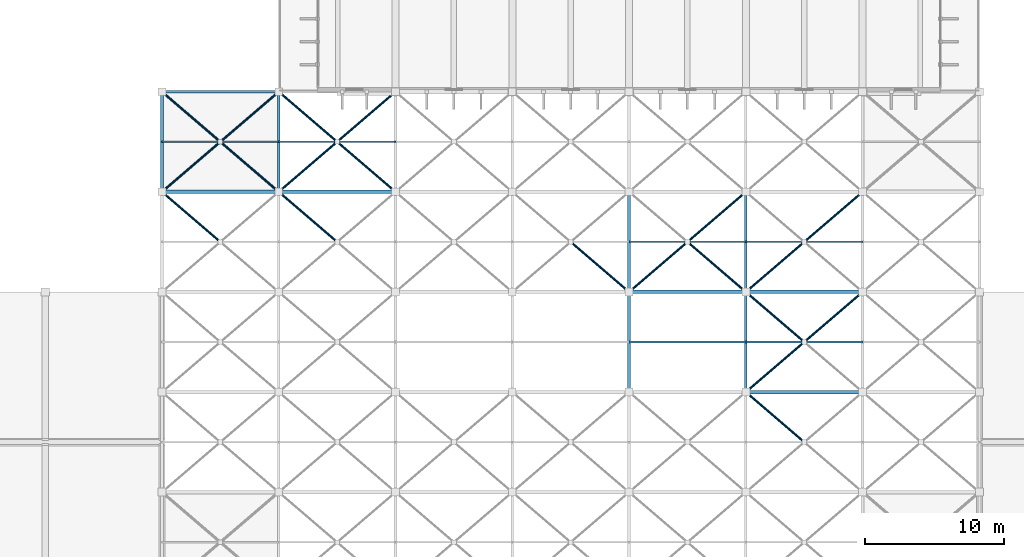
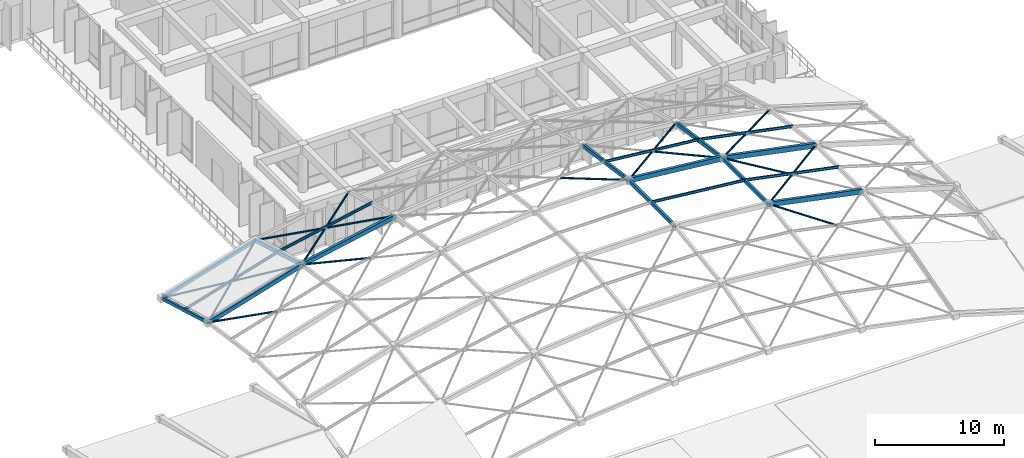
# One storey, part 3 of 23: 33 members.
"""IFC4 building model written with IfcOpenShell, lengths in metres."""

from ifc_helpers import new_model, si_unit, direction, frame, origin, origin_2d, place, context, subcontext, project, spatial, hollow_rectangle, hollow_circle, i_section, extrude, material, material_profile, profile_set, type_object, element, save


model = new_model("IFC4")

# Units and contexts
model_context = context("Model", 3, precision=1e-05, world=origin(), true_north=direction((0.0, 1.0)))
body_context = subcontext(model_context, "Body", "Model", "MODEL_VIEW")
ifc_project = project(units=[si_unit("LENGTHUNIT", "METRE"), si_unit("AREAUNIT", "SQUARE_METRE"), si_unit("VOLUMEUNIT", "CUBIC_METRE"), si_unit("PLANEANGLEUNIT", "RADIAN"), si_unit("MASSUNIT", "GRAM", prefix="KILO")], contexts=[model_context])

# Site, building, storey
site_placement = place(None, origin())
site = spatial("IfcSite", under=ifc_project, at=site_placement, CompositionType="ELEMENT")
building_placement = place(site_placement, origin())
building = spatial("IfcBuilding", under=site, at=building_placement, Name="Kenerak Square Central Library", CompositionType="ELEMENT")
storey_placement = place(building_placement, frame((0.0, 0.0, 18.8798828125)))
storey = spatial("IfcBuildingStorey", under=building, at=storey_placement, Name="L04", CompositionType="ELEMENT", Elevation=18.8798828125)

# Members
ifc_material = material(Name="Steel S355", Category="steel")
ifc_material_profile_1 = material_profile(ifc_material, hollow_rectangle(XDim=0.25, YDim=0.449951171875, WallThickness=0.01611328125, at=origin_2d()), Name="RHS 450x250x16.0")
ifc_profile_set_1 = profile_set([ifc_material_profile_1], Name="Steel S355")
member_type_1 = type_object("IfcMemberType", Name="Gridshell Arch Chord GM-01 RHS 450x250x16 S355", PredefinedType="CHORD", material=ifc_profile_set_1)
member_1_placement = place(storey_placement, frame((100.39990234375, 31.199951171875, 7.31689453125), z_axis=(0.980180925126, 0.0, -0.198104401817), x_axis=(0.0, 1.0, 0.0)))
element("IfcMember", 1, at=member_1_placement, inside=storey, type_object=member_type_1, Name="Gridshell Arch Chord 0020", PredefinedType="CHORD", context=body_context, shape_type="SweptSolid", body=[
    extrude(hollow_rectangle(XDim=0.25, YDim=0.449951171875, WallThickness=0.01611328125, at=origin_2d()), origin(), (0.0, 0.0, 1.0), 8.570068359375),
])
member_2_placement = place(storey_placement, frame((92.0, 38.39990234375, 8.166015625), z_axis=(0.994929534043, 0.0, -0.100574461414), x_axis=(0.0, 1.0, 0.0)))
element("IfcMember", 2, at=member_2_placement, inside=storey, type_object=member_type_1, Name="Gridshell Arch Chord 0026", PredefinedType="CHORD", context=body_context, shape_type="SweptSolid", body=[
    extrude(hollow_rectangle(XDim=0.25, YDim=0.449951171875, WallThickness=0.01611328125, at=origin_2d()), origin(), (0.0, 0.0, 1.0), 8.442626953125),
])
member_3_placement = place(storey_placement, frame((100.39990234375, 38.39990234375, 7.31689453125), z_axis=(0.980180925126, 0.0, -0.198104401817), x_axis=(0.0, 1.0, 0.0)))
element("IfcMember", 3, at=member_3_placement, inside=storey, type_object=member_type_1, Name="Gridshell Arch Chord 0027", PredefinedType="CHORD", context=body_context, shape_type="SweptSolid", body=[
    extrude(hollow_rectangle(XDim=0.25, YDim=0.449951171875, WallThickness=0.01611328125, at=origin_2d()), origin(), (0.0, 0.0, 1.0), 8.570068359375),
])
ifc_material_profile_2 = material_profile(ifc_material, hollow_rectangle(XDim=0.25, YDim=0.39990234375, WallThickness=0.012451171875, at=origin_2d()), Name="RHS 400x250x12.5")
ifc_profile_set_2 = profile_set([ifc_material_profile_2], Name="Steel S355")
member_type_2 = type_object("IfcMemberType", Name="Gridshell Arch Rib GM-02 RHS 400x250x12.5 S355", PredefinedType="CHORD", material=ifc_profile_set_2)
member_4_placement = place(storey_placement, frame((58.39990234375, 45.60009765625, 2.048095703125), z_axis=(0.956980883817, 0.0, 0.29015097451), x_axis=(0.0, 1.0, 0.0)))
element("IfcMember", 4, at=member_4_placement, inside=storey, type_object=member_type_2, Name="Gridshell Arch Chord 0029", PredefinedType="CHORD", context=body_context, shape_type="SweptSolid", body=[
    extrude(hollow_rectangle(XDim=0.25, YDim=0.39990234375, WallThickness=0.012451171875, at=origin_2d()), origin(), (0.0, 0.0, 1.0), 8.77783203125),
])
member_5_placement = place(storey_placement, frame((66.800048828125, 45.60009765625, 4.594970703125), z_axis=(0.980174274695, 0.0, 0.198137303973), x_axis=(0.0, 1.0, 0.0)))
element("IfcMember", 5, at=member_5_placement, inside=storey, type_object=member_type_2, Name="Gridshell Arch Chord 0030", PredefinedType="CHORD", context=body_context, shape_type="SweptSolid", body=[
    extrude(hollow_rectangle(XDim=0.25, YDim=0.39990234375, WallThickness=0.012451171875, at=origin_2d()), origin(), (0.0, 0.0, 1.0), 8.56982421875),
])
ifc_material_profile_3 = material_profile(ifc_material, hollow_rectangle(XDim=0.199951171875, YDim=0.35009765625, WallThickness=0.012451171875, at=origin_2d()), Name="RHS 350x200x12.5")
ifc_profile_set_3 = profile_set([ifc_material_profile_3], Name="Steel S355")
member_type_3 = type_object("IfcMemberType", Name="Gridshell Cross Rib GM-03 RHS 350x200x12.5 S355", PredefinedType="RAFTER", material=ifc_profile_set_3)
member_6_placement = place(storey_placement, frame((66.800048828125, 45.60009765625, 4.594970703125), z_axis=(0.0, 0.96185064623, -0.273575098185), x_axis=(-1.0, 0.0, 0.0)))
element("IfcMember", 6, at=member_6_placement, inside=storey, type_object=member_type_3, Name="Gridshell Cross Rib 0052", PredefinedType="RAFTER", context=body_context, shape_type="SweptSolid", body=[
    extrude(hollow_rectangle(XDim=0.199951171875, YDim=0.35009765625, WallThickness=0.012451171875, at=origin_2d()), origin(), (0.0, 0.0, 1.0), 7.485595703125),
])
member_7_placement = place(storey_placement, frame((92.0, 31.199951171875, 8.166015625), z_axis=(0.0, 1.0, 0.0), x_axis=(-1.0, 0.0, 0.0)))
element("IfcMember", 7, at=member_7_placement, inside=storey, type_object=member_type_3, Name="Gridshell Cross Rib 0065", PredefinedType="RAFTER", context=body_context, shape_type="SweptSolid", body=[
    extrude(hollow_rectangle(XDim=0.199951171875, YDim=0.35009765625, WallThickness=0.012451171875, at=origin_2d()), origin(), (0.0, 0.0, 1.0), 7.199951171875),
])
member_8_placement = place(storey_placement, frame((92.0, 38.39990234375, 8.166015625), z_axis=(0.0, 0.990039260291, -0.140791558988), x_axis=(-1.0, 0.0, 0.0)))
element("IfcMember", 8, at=member_8_placement, inside=storey, type_object=member_type_3, Name="Gridshell Cross Rib 0066", PredefinedType="RAFTER", context=body_context, shape_type="SweptSolid", body=[
    extrude(hollow_rectangle(XDim=0.199951171875, YDim=0.35009765625, WallThickness=0.012451171875, at=origin_2d()), origin(), (0.0, 0.0, 1.0), 7.272705078125),
])
member_9_placement = place(storey_placement, frame((100.39990234375, 31.199951171875, 7.31689453125), z_axis=(0.0, 1.0, 0.0), x_axis=(-1.0, 0.0, 0.0)))
element("IfcMember", 9, at=member_9_placement, inside=storey, type_object=member_type_3, Name="Gridshell Cross Rib 0070", PredefinedType="RAFTER", context=body_context, shape_type="SweptSolid", body=[
    extrude(hollow_rectangle(XDim=0.199951171875, YDim=0.35009765625, WallThickness=0.012451171875, at=origin_2d()), origin(), (0.0, 0.0, 1.0), 7.199951171875),
])
member_10_placement = place(storey_placement, frame((100.39990234375, 38.39990234375, 7.31689453125), z_axis=(0.0, 0.990039260291, -0.140791558988), x_axis=(-1.0, 0.0, 0.0)))
element("IfcMember", 10, at=member_10_placement, inside=storey, type_object=member_type_3, Name="Gridshell Cross Rib 0071", PredefinedType="RAFTER", context=body_context, shape_type="SweptSolid", body=[
    extrude(hollow_rectangle(XDim=0.199951171875, YDim=0.35009765625, WallThickness=0.012451171875, at=origin_2d()), origin(), (0.0, 0.0, 1.0), 7.272705078125),
])
ifc_material_profile_4 = material_profile(ifc_material, hollow_rectangle(XDim=0.199951171875, YDim=0.300048828125, WallThickness=0.010009765625, at=origin_2d()), Name="RHS 300x200x10.0")
ifc_profile_set_4 = profile_set([ifc_material_profile_4], Name="Steel S355")
member_type_4 = type_object("IfcMemberType", Name="Gridshell Edge Rib GM-04 RHS 300x200x10 S355", PredefinedType="RAFTER", material=ifc_profile_set_4)
member_11_placement = place(storey_placement, frame((58.39990234375, 52.800048828125, 0.0), z_axis=(0.956973160581, 0.0, 0.290176446198), x_axis=(0.0, 1.0, 0.0)))
element("IfcMember", 11, at=member_11_placement, inside=storey, type_object=member_type_4, Name="Gridshell Arch Chord 0036", PredefinedType="RAFTER", context=body_context, shape_type="SweptSolid", body=[
    extrude(hollow_rectangle(XDim=0.199951171875, YDim=0.300048828125, WallThickness=0.010009765625, at=origin_2d()), origin(), (0.0, 0.0, 1.0), 8.77783203125),
])
member_12_placement = place(storey_placement, frame((58.39990234375, 45.60009765625, 2.048095703125), z_axis=(0.0, 0.96184206356, -0.273605271819), x_axis=(-1.0, 0.0, 0.0)))
element("IfcMember", 12, at=member_12_placement, inside=storey, type_object=member_type_4, Name="Gridshell Cross Rib 0047", PredefinedType="RAFTER", context=body_context, shape_type="SweptSolid", body=[
    extrude(hollow_rectangle(XDim=0.199951171875, YDim=0.300048828125, WallThickness=0.010009765625, at=origin_2d()), origin(), (0.0, 0.0, 1.0), 7.485595703125),
])
ifc_material_profile_5 = material_profile(ifc_material, hollow_circle(Radius=0.084228515625, WallThickness=0.008056640625, at=origin_2d()), Name="CHS 168.3x8.0")
ifc_profile_set_5 = profile_set([ifc_material_profile_5], Name="Steel S355")
member_type_5 = type_object("IfcMemberType", Name="Gridshell Nodal Brace GB-11 CHS 168.3x8 S355", PredefinedType="BRACE", material=ifc_profile_set_5)
member_13_placement = place(storey_placement, frame((62.531494140625, 42.058837890625, 3.804443359375), z_axis=(-0.722561060385, 0.619319753051, -0.307162102961), x_axis=(-0.650780288863, -0.759266103304, 0.0)))
element("IfcMember", 13, at=member_13_placement, inside=storey, type_object=member_type_5, Name="Gridshell Split Brace Seg 2 0097", PredefinedType="BRACE", context=body_context, shape_type="SweptSolid", body=[
    extrude(hollow_circle(Radius=0.084228515625, WallThickness=0.008056640625, at=origin_2d()), origin(), (0.0, 0.0, 1.0), 5.718017578125),
])
member_14_placement = place(storey_placement, frame((58.39990234375, 45.60009765625, 2.048095703125), z_axis=(0.758493211686, 0.650121292348, 0.045059439204), x_axis=(-0.650782286936, 0.759264390716, 0.0)))
element("IfcMember", 14, at=member_14_placement, inside=storey, type_object=member_type_5, Name="Gridshell Diagonal Brace 0099", PredefinedType="BRACE", context=body_context, shape_type="SweptSolid", body=[
    extrude(hollow_circle(Radius=0.084228515625, WallThickness=0.008056640625, at=origin_2d()), origin(), (0.0, 0.0, 1.0), 11.07470703125),
])
member_15_placement = place(storey_placement, frame((66.800048828125, 45.60009765625, 4.594970703125), z_axis=(-0.701213980074, 0.60098730523, -0.383553403193), x_axis=(-0.650758134143, -0.759285091943, 0.0)))
element("IfcMember", 15, at=member_15_placement, inside=storey, type_object=member_type_5, Name="Gridshell Split Brace Seg 1 0100", PredefinedType="BRACE", context=body_context, shape_type="SweptSolid", body=[
    extrude(hollow_circle(Radius=0.084228515625, WallThickness=0.008056640625, at=origin_2d()), origin(), (0.0, 0.0, 1.0), 5.894775390625),
])
member_16_placement = place(storey_placement, frame((62.533447265625, 49.257080078125, 2.26123046875), z_axis=(-0.701185388115, 0.601004214301, -0.383579178118), x_axis=(-0.650783987265, -0.759262933323, 0.0)))
element("IfcMember", 16, at=member_16_placement, inside=storey, type_object=member_type_5, Name="Gridshell Split Brace Seg 2 0101", PredefinedType="BRACE", context=body_context, shape_type="SweptSolid", body=[
    extrude(hollow_circle(Radius=0.084228515625, WallThickness=0.008056640625, at=origin_2d()), origin(), (0.0, 0.0, 1.0), 5.89501953125),
])
member_17_placement = place(storey_placement, frame((70.929931640625, 42.06005859375, 5.933349609375), z_axis=(-0.73725498425, 0.631957748382, -0.238923612181), x_axis=(-0.650806158381, -0.759243929323, 0.0)))
element("IfcMember", 17, at=member_17_placement, inside=storey, type_object=member_type_5, Name="Gridshell Split Brace Seg 2 0117", PredefinedType="BRACE", context=body_context, shape_type="SweptSolid", body=[
    extrude(hollow_circle(Radius=0.084228515625, WallThickness=0.008056640625, at=origin_2d()), origin(), (0.0, 0.0, 1.0), 5.601806640625),
])
member_18_placement = place(storey_placement, frame((66.800048828125, 45.60009765625, 4.594970703125), z_axis=(0.758875702156, 0.65046803849, -0.031606954636), x_axis=(-0.650793190779, 0.759255044656, 0.0)))
element("IfcMember", 18, at=member_18_placement, inside=storey, type_object=member_type_5, Name="Gridshell Diagonal Brace 0119", PredefinedType="BRACE", context=body_context, shape_type="SweptSolid", body=[
    extrude(hollow_circle(Radius=0.084228515625, WallThickness=0.008056640625, at=origin_2d()), origin(), (0.0, 0.0, 1.0), 11.06884765625),
])
for number, where, z_axis, x_axis, name in (
    (19, (75.199951171875, 45.60009765625, 6.29296875), (-0.719158043683, 0.616402967773, -0.320716525183), (-0.650780288863, -0.759266103304, 0.0), "Gridshell Split Brace Seg 1 0120"),
    (20, (70.931640625, 49.258544921875, 4.389404296875), (-0.719149006003, 0.616437716781, -0.320669999368), (-0.650806152266, -0.759243934565, 0.0), "Gridshell Split Brace Seg 2 0121"),
):
    element("IfcMember", number, at=place(storey_placement, frame(where, z_axis=z_axis, x_axis=x_axis)), inside=storey, type_object=member_type_5, Name=name, PredefinedType="BRACE", context=body_context, shape_type="SweptSolid", body=[
        extrude(hollow_circle(Radius=0.084228515625, WallThickness=0.008056640625, at=origin_2d()), origin(), (0.0, 0.0, 1.0), 5.7451171875),
    ])
member_19_placement = place(storey_placement, frame((92.0, 38.39990234375, 8.166015625), z_axis=(-0.756013530096, 0.648037146207, -0.092148789729), x_axis=(-0.650806164502, -0.759243924076, 0.0)))
element("IfcMember", 21, at=member_19_placement, inside=storey, type_object=member_type_5, Name="Gridshell Split Brace Seg 1 0150", PredefinedType="BRACE", context=body_context, shape_type="SweptSolid", body=[
    extrude(hollow_circle(Radius=0.084228515625, WallThickness=0.008056640625, at=origin_2d()), origin(), (0.0, 0.0, 1.0), 5.46044921875),
])
member_20_placement = place(storey_placement, frame((92.0, 38.39990234375, 8.166015625), z_axis=(0.748591735007, 0.641674924397, -0.166924251322), x_axis=(-0.650805911728, 0.759244140748, 0.0)))
element("IfcMember", 22, at=member_20_placement, inside=storey, type_object=member_type_5, Name="Gridshell Diagonal Brace 0166", PredefinedType="BRACE", context=body_context, shape_type="SweptSolid", body=[
    extrude(hollow_circle(Radius=0.084228515625, WallThickness=0.008056640625, at=origin_2d()), origin(), (0.0, 0.0, 1.0), 11.220947265625),
])
member_21_placement = place(storey_placement, frame((100.39990234375, 38.39990234375, 7.31689453125), z_axis=(-0.759133240438, 0.650743363912, -0.015804986138), x_axis=(-0.650824656203, -0.759228073031, 0.0)))
element("IfcMember", 23, at=member_21_placement, inside=storey, type_object=member_type_5, Name="Gridshell Split Brace Seg 1 0167", PredefinedType="BRACE", context=body_context, shape_type="SweptSolid", body=[
    extrude(hollow_circle(Radius=0.084228515625, WallThickness=0.008056640625, at=origin_2d()), origin(), (0.0, 0.0, 1.0), 5.437255859375),
])
member_22_placement = place(storey_placement, frame((104.530029296875, 27.659912109375, 5.978759765625), z_axis=(-0.737282553334, 0.631944022188, 0.238874840387), x_axis=(-0.650783981153, -0.759262938563, 0.0)))
element("IfcMember", 24, at=member_22_placement, inside=storey, type_object=member_type_5, Name="Gridshell Split Brace Seg 2 0180", PredefinedType="BRACE", context=body_context, shape_type="SweptSolid", body=[
    extrude(hollow_circle(Radius=0.084228515625, WallThickness=0.008056640625, at=origin_2d()), origin(), (0.0, 0.0, 1.0), 5.601806640625),
])
member_23_placement = place(storey_placement, frame((100.39990234375, 31.199951171875, 7.31689453125), z_axis=(0.750479503081, 0.643252565622, -0.151679439196), x_axis=(-0.650782286936, 0.759264390716, 0.0)))
element("IfcMember", 25, at=member_23_placement, inside=storey, type_object=member_type_5, Name="Gridshell Diagonal Brace 0182", PredefinedType="BRACE", context=body_context, shape_type="SweptSolid", body=[
    extrude(hollow_circle(Radius=0.084228515625, WallThickness=0.008056640625, at=origin_2d()), origin(), (0.0, 0.0, 1.0), 11.193115234375),
])
member_24_placement = place(storey_placement, frame((104.52880859375, 34.861083984375, 6.482421875), z_axis=(-0.750493833217, 0.643236052062, 0.151678566813), x_axis=(-0.650765491935, -0.759278785761, 0.0)))
element("IfcMember", 26, at=member_24_placement, inside=storey, type_object=member_type_5, Name="Gridshell Split Brace Seg 2 0184", PredefinedType="BRACE", context=body_context, shape_type="SweptSolid", body=[
    extrude(hollow_circle(Radius=0.084228515625, WallThickness=0.008056640625, at=origin_2d()), origin(), (0.0, 0.0, 1.0), 5.50146484375),
])
member_25_placement = place(storey_placement, frame((100.39990234375, 38.39990234375, 7.31689453125), z_axis=(0.73726879801, 0.631950806257, -0.238899346906), x_axis=(-0.650795007986, 0.759253487039, 0.0)))
element("IfcMember", 27, at=member_25_placement, inside=storey, type_object=member_type_5, Name="Gridshell Diagonal Brace 0186", PredefinedType="BRACE", context=body_context, shape_type="SweptSolid", body=[
    extrude(hollow_circle(Radius=0.084228515625, WallThickness=0.008056640625, at=origin_2d()), origin(), (0.0, 0.0, 1.0), 11.3935546875),
])
ifc_material_profile_6 = material_profile(ifc_material, i_section(OverallWidth=0.1201171875, OverallDepth=0.239990234375, WebThickness=0.006103515625, FlangeThickness=0.009765625, FilletRadius=0.014892578125, at=origin_2d()), Name="IPE 240")
ifc_profile_set_6 = profile_set([ifc_material_profile_6], Name="Steel S355")
member_type_6 = type_object("IfcMemberType", Name="Roof Steel Purlin PR-01 IPE 240 S355", PredefinedType="PURLIN", material=ifc_profile_set_6)
member_26_placement = place(storey_placement, frame((58.39990234375, 49.199951171875, 1.119140625), z_axis=(0.956980883817, 0.0, 0.29015097451), x_axis=(0.0, 1.0, 0.0)))
element("IfcMember", 28, at=member_26_placement, inside=storey, type_object=member_type_6, Name="Gridshell Purlin PR-01 0102", PredefinedType="PURLIN", context=body_context, shape_type="SweptSolid", body=[
    extrude(i_section(OverallWidth=0.1201171875, OverallDepth=0.239990234375, WebThickness=0.006103515625, FlangeThickness=0.009765625, FilletRadius=0.014892578125, at=origin_2d()), origin(), (0.0, 0.0, 1.0), 8.77783203125),
])
member_27_placement = place(storey_placement, frame((66.800048828125, 49.199951171875, 3.666015625), z_axis=(0.980174274695, 0.0, 0.198137303973), x_axis=(0.0, 1.0, 0.0)))
element("IfcMember", 29, at=member_27_placement, inside=storey, type_object=member_type_6, Name="Gridshell Purlin PR-01 0122", PredefinedType="PURLIN", context=body_context, shape_type="SweptSolid", body=[
    extrude(i_section(OverallWidth=0.1201171875, OverallDepth=0.239990234375, WebThickness=0.006103515625, FlangeThickness=0.009765625, FilletRadius=0.014892578125, at=origin_2d()), origin(), (0.0, 0.0, 1.0), 8.56982421875),
])
for number, where, z_axis, x_axis, name in (
    (30, (92.0, 34.800048828125, 8.260986328125), (0.994932427238, 0.0, -0.100545836468), (0.0, 1.0, 0.0), "Gridshell Purlin PR-01 0165"),
    (31, (92.0, 42.0, 7.7490234375), (0.994929534043, 0.0, -0.100574461414), (0.0, 1.0, 0.0), "Gridshell Purlin PR-01 0169"),
):
    element("IfcMember", number, at=place(storey_placement, frame(where, z_axis=z_axis, x_axis=x_axis)), inside=storey, type_object=member_type_6, Name=name, PredefinedType="PURLIN", context=body_context, shape_type="SweptSolid", body=[
        extrude(i_section(OverallWidth=0.1201171875, OverallDepth=0.239990234375, WebThickness=0.006103515625, FlangeThickness=0.009765625, FilletRadius=0.014892578125, at=origin_2d()), origin(), (0.0, 0.0, 1.0), 8.442626953125),
    ])
for number, where, z_axis, x_axis, name in (
    (32, (100.39990234375, 34.800048828125, 7.412109375), (0.98017539306, 0.0, -0.198131771405), (0.0, 1.0, 0.0), "Gridshell Purlin PR-01 0185"),
    (33, (100.39990234375, 42.0, 6.89990234375), (0.980180925126, 0.0, -0.198104401817), (0.0, 1.0, 0.0), "Gridshell Purlin PR-01 0189"),
):
    element("IfcMember", number, at=place(storey_placement, frame(where, z_axis=z_axis, x_axis=x_axis)), inside=storey, type_object=member_type_6, Name=name, PredefinedType="PURLIN", context=body_context, shape_type="SweptSolid", body=[
        extrude(i_section(OverallWidth=0.1201171875, OverallDepth=0.239990234375, WebThickness=0.006103515625, FlangeThickness=0.009765625, FilletRadius=0.014892578125, at=origin_2d()), origin(), (0.0, 0.0, 1.0), 8.570068359375),
    ])

save(model, "model.ifc")
